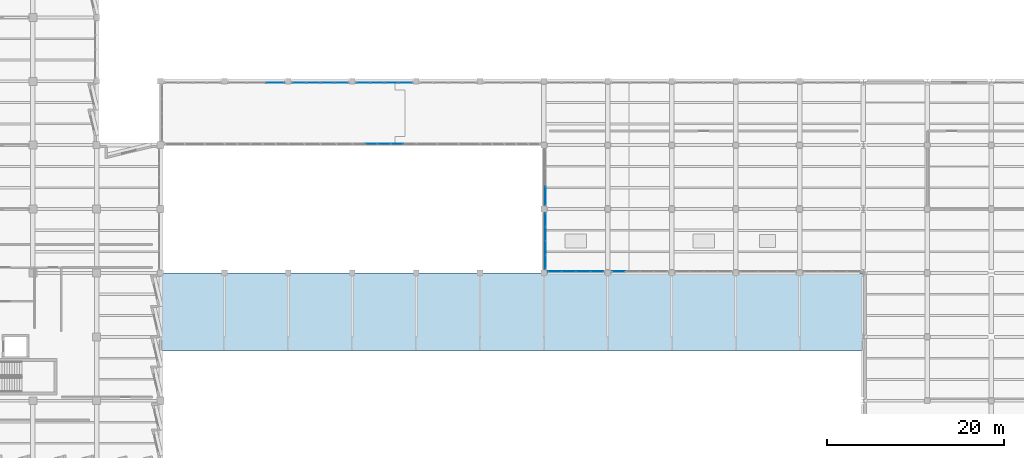
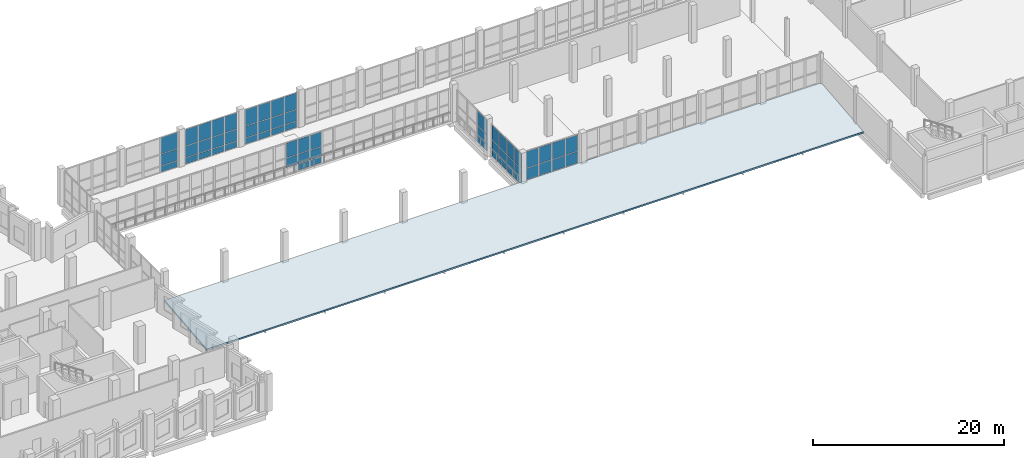
# One storey, part 79 of 127: 63 plates, 1 slab, 8 elements without a shape of their own.
"""IFC4 building model written with IfcOpenShell, lengths in metres."""

import ifcopenshell
import ifcopenshell.guid

model = None  # the IFC model being written
_history = None  # IfcOwnerHistory: only IFC2X3 demands one
_inside = {}  # id of a spatial element -> (the spatial element, [elements in it])
_under = {}  # id of a project, library or spatial element -> (it, [spatial elements below it])
_declared = {}  # id of a project -> (the project, [libraries it declares])
_typed = {}  # id of a type object -> (the type object, [elements of that type])
_made_of = {}  # id of a material, layer set ... -> (it, [elements and type objects made of it])


def new_model(schema):
    """Start an empty IFC model of exactly this schema.

    Asked for "IFC4X3", IfcOpenShell would pick the latest addendum, in which some entities
    have other attributes; the version numbers below select the first issue.
    IFC2X3 requires an IfcOwnerHistory on every rooted entity: one is made here for all.
    """
    global model, _history
    if schema == "IFC4X3":
        model = ifcopenshell.file(schema_version=(4, 3, 0, 0))
    else:
        model = ifcopenshell.file(schema=schema)
    _inside.clear()
    _under.clear()
    _declared.clear()
    _typed.clear()
    _made_of.clear()
    _history = None
    if model.schema == "IFC2X3":
        org = make("IfcOrganization", Name="unknown")
        user = make(
            "IfcPersonAndOrganization",
            ThePerson=make("IfcPerson", FamilyName="unknown"),
            TheOrganization=org,
        )
        app = make(
            "IfcApplication",
            ApplicationDeveloper=org,
            Version="unknown",
            ApplicationFullName="unknown",
            ApplicationIdentifier="unknown",
        )
        _history = make(
            "IfcOwnerHistory",
            OwningUser=user,
            OwningApplication=app,
            ChangeAction="ADDED",
            CreationDate=0,
        )
    return model


def make(cls, **values):
    """One entity of the class cls with the attributes given. An attribute that is None is left unset."""
    return model.create_entity(
        cls, **{name: value for name, value in values.items() if value is not None}
    )


def rooted(cls, **values):
    """An entity with a GlobalId (a new one), such as an element, a storey or a relation."""
    return make(cls, GlobalId=ifcopenshell.guid.new(), OwnerHistory=_history, **values)


def si_unit(unit_type, name, prefix=None):
    """IfcSIUnit, for example si_unit("LENGTHUNIT", "METRE", prefix="MILLI")."""
    return make("IfcSIUnit", UnitType=unit_type, Prefix=prefix, Name=name)


def assignment(units):
    """IfcUnitAssignment: the units of a project."""
    return None if units is None else make("IfcUnitAssignment", Units=units)


def point(xyz):
    """IfcCartesianPoint."""
    return None if xyz is None else make("IfcCartesianPoint", Coordinates=xyz)


def direction(xyz):
    """IfcDirection."""
    return None if xyz is None else make("IfcDirection", DirectionRatios=xyz)


def frame(location, z_axis=None, x_axis=None):
    """IfcAxis2Placement3D, a coordinate frame: its origin and axes. An axis left out is left unset."""
    return make(
        "IfcAxis2Placement3D",
        Location=point(location),
        Axis=direction(z_axis),
        RefDirection=direction(x_axis),
    )


def frame_2d(location, x_axis=None):
    """IfcAxis2Placement2D, a coordinate frame in the plane: its origin and x axis."""
    return make(
        "IfcAxis2Placement2D", Location=point(location), RefDirection=direction(x_axis)
    )


def origin():
    """The frame at (0, 0, 0) with its axes left unset."""
    return frame((0.0, 0.0, 0.0))


def origin_2d():
    """The frame at (0, 0) in the plane with its x axis left unset."""
    return frame_2d((0.0, 0.0))


def place(relative_to, where):
    """IfcLocalPlacement: puts the frame where relative to a parent placement (None: the world)."""
    return make(
        "IfcLocalPlacement", PlacementRelTo=relative_to, RelativePlacement=where
    )


def context(
    kind, dimensions, precision=None, world=None, true_north=None, identifier=None
):
    """IfcGeometricRepresentationContext, for example the 3D "Model" context."""
    return make(
        "IfcGeometricRepresentationContext",
        ContextIdentifier=identifier,
        ContextType=kind,
        CoordinateSpaceDimension=dimensions,
        Precision=precision,
        WorldCoordinateSystem=world,
        TrueNorth=true_north,
    )


def subcontext(parent, identifier, kind, view, scale=None):
    """IfcGeometricRepresentationSubContext, for example "Body" below "Model"."""
    return make(
        "IfcGeometricRepresentationSubContext",
        ContextIdentifier=identifier,
        ContextType=kind,
        ParentContext=parent,
        TargetScale=scale,
        TargetView=view,
    )


def project(units=None, contexts=None):
    """IfcProject with its units and contexts."""
    return rooted(
        "IfcProject",
        Name="project",
        RepresentationContexts=contexts,
        UnitsInContext=assignment(units),
    )


def spatial(cls, under=None, at=None, **own):
    """A site, building, storey or space (cls), placed at a placement, below another one or the project."""
    s = rooted(cls, ObjectPlacement=at, **own)
    if under is not None:
        _under.setdefault(under.id(), (under, []))[1].append(s)
    return s


def polyline(points):
    """IfcPolyline through the points."""
    return make("IfcPolyline", Points=[point(p) for p in points])


def profile(cls, at=None, kind="AREA", **sizes):
    """A parametric profile (cls). Its sizes go by their IFC names, for example OverallWidth=200.0."""
    return make(cls, ProfileType=kind, Position=at, **sizes)


def rectangle(**sizes):
    """IfcRectangleProfileDef."""
    return profile("IfcRectangleProfileDef", **sizes)


def outline(outer, holes=None, kind="AREA"):
    """IfcArbitraryClosedProfileDef: a profile drawn as a closed curve; with holes, ...WithVoids."""
    if holes is None:
        return make("IfcArbitraryClosedProfileDef", ProfileType=kind, OuterCurve=outer)
    return make(
        "IfcArbitraryProfileDefWithVoids",
        ProfileType=kind,
        OuterCurve=outer,
        InnerCurves=holes,
    )


def extrude(swept, where, along, depth):
    """IfcExtrudedAreaSolid: the profile swept, set in the frame where, extruded along a direction by depth."""
    return make(
        "IfcExtrudedAreaSolid",
        SweptArea=swept,
        Position=where,
        ExtrudedDirection=direction(along),
        Depth=depth,
    )


def shape(context_of_items, identifier, shape_type, items):
    """IfcShapeRepresentation: the items that make up one representation, for example the "Body"."""
    return make(
        "IfcShapeRepresentation",
        ContextOfItems=context_of_items,
        RepresentationIdentifier=identifier,
        RepresentationType=shape_type,
        Items=items,
    )


def material(Name=None, Category=None):
    """IfcMaterial."""
    return make("IfcMaterial", Name=Name, Category=Category)


def layer(
    of_material, thickness, ventilated=None, Name=None, Category=None, Priority=None
):
    """IfcMaterialLayer: one layer of a wall or slab, of a material (None: an air gap)."""
    return make(
        "IfcMaterialLayer",
        Material=of_material,
        LayerThickness=thickness,
        IsVentilated=ventilated,
        Name=Name,
        Category=Category,
        Priority=Priority,
    )


def layer_set(layers, Name=None):
    """IfcMaterialLayerSet."""
    return make("IfcMaterialLayerSet", MaterialLayers=layers, LayerSetName=Name)


def made_of(thing, what):
    """Note that an element or type object is made of a material, layer set ...; save() writes the relation."""
    if what is not None:
        _made_of.setdefault(what.id(), (what, []))[1].append(thing)
    return thing


def type_object(cls, material=None, **own):
    """A type object (cls), such as IfcWallType, which elements share."""
    return made_of(rooted(cls, **own), material)


def element(
    cls,
    number,
    at=None,
    inside=None,
    cuts=None,
    type_object=None,
    material=None,
    context=None,
    identifier="Body",
    shape_type=None,
    held_by="IfcProductDefinitionShape",
    body=None,
    shapes=None,
    **own,
):
    """One element of the class cls, such as IfcWall. Its Tag is "e" and its number.

    at: its placement. inside: the storey or other place that contains it. cuts: it is an
    opening in that element (IfcRelVoidsElement). A single representation is given by context,
    identifier, shape_type and body (its items); several are given by shapes. held_by: the class
    of the entity that holds the representations. save() writes the other relations.
    """
    e = rooted(cls, Tag="e%d" % number, ObjectPlacement=at, **own)
    if body is not None:
        shapes = [shape(context, identifier, shape_type, body)]
    if shapes is not None:
        e.Representation = make(held_by, Representations=shapes)
    if inside is not None:
        _inside.setdefault(inside.id(), (inside, []))[1].append(e)
    if cuts is not None:
        rooted(
            "IfcRelVoidsElement", RelatingBuildingElement=cuts, RelatedOpeningElement=e
        )
    if type_object is not None:
        _typed.setdefault(type_object.id(), (type_object, []))[1].append(e)
    return made_of(e, material)


def aggregate(whole, parts):
    """IfcRelAggregates: a whole, such as a stair, and the parts it consists of."""
    return rooted("IfcRelAggregates", RelatingObject=whole, RelatedObjects=parts)


def save(model, path):
    """Write the relations noted so far, then the file.

    IfcRelAggregates (storeys below a building ...), IfcRelContainedInSpatialStructure (elements
    in a storey), IfcRelDefinesByType, IfcRelAssociatesMaterial and IfcRelDeclares: one each for
    every whole, place, type object, material and project.
    """
    for whole, parts in _under.values():
        aggregate(whole, parts)
    for where, things in _inside.values():
        rooted(
            "IfcRelContainedInSpatialStructure",
            RelatedElements=things,
            RelatingStructure=where,
        )
    for kind, things in _typed.values():
        rooted("IfcRelDefinesByType", RelatedObjects=things, RelatingType=kind)
    for what, things in _made_of.values():
        rooted("IfcRelAssociatesMaterial", RelatedObjects=things, RelatingMaterial=what)
    for by, libraries in _declared.values():
        rooted("IfcRelDeclares", RelatingContext=by, RelatedDefinitions=libraries)
    model.write(path)


model = new_model("IFC4")

# Units and contexts
model_context = context("Model", 3, precision=1e-05, world=origin(), true_north=direction((0.0, 1.0)))
body_context = subcontext(model_context, "Body", "Model", "MODEL_VIEW")
ifc_project = project(units=[si_unit("LENGTHUNIT", "METRE"), si_unit("AREAUNIT", "SQUARE_METRE"), si_unit("VOLUMEUNIT", "CUBIC_METRE"), si_unit("PLANEANGLEUNIT", "RADIAN"), si_unit("MASSUNIT", "GRAM", prefix="KILO")], contexts=[model_context])

# Site, building, storey
site_placement = place(None, origin())
site = spatial("IfcSite", under=ifc_project, at=site_placement, CompositionType="ELEMENT")
building_placement = place(site_placement, origin())
building = spatial("IfcBuilding", under=site, at=building_placement, Name="Kalmorath City Hall", CompositionType="ELEMENT")
storey_placement = place(building_placement, frame((0.0, 0.0, 5.39990234375)))
storey = spatial("IfcBuildingStorey", under=building, at=storey_placement, Name="L01", CompositionType="ELEMENT", Elevation=5.39990234375)

# Slab
ifc_material_1 = material(Name="Concrete C40/50", Category="concrete")
ifc_layer_1 = layer(ifc_material_1, 0.219970703125)
ifc_layer_set_1 = layer_set([ifc_layer_1], Name="Concrete C40/50")
slab_type = type_object("IfcSlabType", Name="Concrete sloped hurricane roof slab 220", PredefinedType="ROOF", material=ifc_layer_set_1)
slab_placement = place(storey_placement, frame((36.0, 12.800048828125, 0.0), z_axis=(0.0, -0.101757844754, 0.994809198304), x_axis=(1.0, 0.0, 0.0)))
element("IfcSlab", 1, at=slab_placement, inside=storey, type_object=slab_type, Name="Civic Storm Arcade sloped canopy roof", PredefinedType="ROOF", context=body_context, shape_type="SweptSolid", body=[
    extrude(outline(polyline([(0.0, 0.0), (79.199951171875, 0.0), (79.199951171875, 8.845966485959398), (0.0, 8.845966485959398), (0.0, 0.0)])), origin(), (0.0, 0.0, -1.0), 0.219970703125),
])

# Curtain wall, plate
ifc_material_2 = material(Name="Anodised aluminium and laminated glass", Category="aluminium")
curtain_wall_type_1 = type_object("IfcCurtainWallType", Name="Unitised hurricane curtain wall 6370x4520 M1800", PredefinedType="NOTDEFINED", material=ifc_material_2)
curtain_wall_1_placement = place(storey_placement, origin())
curtain_wall_1 = element("IfcCurtainWall", 2, at=curtain_wall_1_placement, inside=storey, type_object=curtain_wall_type_1, Name="L01 curtain wall CW-64X45M18 #70", PredefinedType="NOTDEFINED")
ifc_material_3 = material(Name="Hurricane laminated low-E glass", Category="glass")
ifc_layer_2 = layer(ifc_material_3, 0.031982421875)
ifc_layer_set_2 = layer_set([ifc_layer_2], Name="Hurricane laminated low-E glass")
plate_type = type_object("IfcPlateType", Name="Hurricane impact double-glazed panel 32", PredefinedType="CURTAIN_PANEL", material=ifc_layer_set_2)
plate_1_placement = place(storey_placement, frame((87.6298828125, 21.760009765625, 0.065185546875), z_axis=(0.0, 0.0, 1.0), x_axis=(-1.0, 0.0, 0.0)))
plate_1 = element("IfcPlate", 3, at=plate_1_placement, type_object=plate_type, Name="CW-64X45M18 panel 4.1", PredefinedType="CURTAIN_PANEL", context=body_context, shape_type="SweptSolid", body=[
    extrude(rectangle(XDim=1.47998046875, YDim=0.031982421875, at=origin_2d()), origin(), (0.0, 0.0, 1.0), 0.75244140625),
])
aggregate(curtain_wall_1, [plate_1])

# Curtain wall, plates
ifc_material_4 = material(Name="Anodised aluminium and laminated glass", Category="aluminium")
curtain_wall_type_2 = type_object("IfcCurtainWallType", Name="Unitised hurricane curtain wall 6370x4520 M1500", PredefinedType="NOTDEFINED", material=ifc_material_4)
curtain_wall_2_placement = place(storey_placement, origin())
curtain_wall_2 = element("IfcCurtainWall", 4, at=curtain_wall_2_placement, inside=storey, type_object=curtain_wall_type_2, Name="L01 curtain wall CW-64X45M15 #71", PredefinedType="NOTDEFINED")
plate_2_placement = place(storey_placement, frame((85.169921875, 21.760009765625, 0.065185546875), z_axis=(0.0, 0.0, 1.0), x_axis=(-1.0, 0.0, 0.0)))
plate_2 = element("IfcPlate", 5, at=plate_2_placement, type_object=plate_type, Name="CW-64X45M15 panel 1.1", PredefinedType="CURTAIN_PANEL", context=body_context, shape_type="SweptSolid", body=[
    extrude(rectangle(XDim=1.47998046875, YDim=0.031982421875, at=origin_2d()), origin(), (0.0, 0.0, 1.0), 0.75244140625),
])
plate_3_placement = place(storey_placement, frame((85.169921875, 21.760009765625, 0.882568359375), z_axis=(0.0, 0.0, 1.0), x_axis=(-1.0, 0.0, 0.0)))
plate_3 = element("IfcPlate", 6, at=plate_3_placement, type_object=plate_type, Name="CW-64X45M15 panel 1.2", PredefinedType="CURTAIN_PANEL", context=body_context, shape_type="SweptSolid", body=[
    extrude(rectangle(XDim=1.47998046875, YDim=0.031982421875, at=origin_2d()), origin(), (0.0, 0.0, 1.0), 1.43505859375),
])
plate_4_placement = place(storey_placement, frame((85.169921875, 21.760009765625, 2.3828125), z_axis=(0.0, 0.0, 1.0), x_axis=(-1.0, 0.0, 0.0)))
plate_4 = element("IfcPlate", 7, at=plate_4_placement, type_object=plate_type, Name="CW-64X45M15 panel 1.3", PredefinedType="CURTAIN_PANEL", context=body_context, shape_type="SweptSolid", body=[
    extrude(rectangle(XDim=1.47998046875, YDim=0.031982421875, at=origin_2d()), origin(), (0.0, 0.0, 1.0), 2.072509765625),
])
plate_5_placement = place(storey_placement, frame((83.59619140625, 21.760009765625, 0.065185546875), z_axis=(0.0, 0.0, 1.0), x_axis=(-1.0, 0.0, 0.0)))
plate_5 = element("IfcPlate", 8, at=plate_5_placement, type_object=plate_type, Name="CW-64X45M15 panel 2.1", PredefinedType="CURTAIN_PANEL", context=body_context, shape_type="SweptSolid", body=[
    extrude(rectangle(XDim=1.517578125, YDim=0.031982421875, at=origin_2d()), origin(), (0.0, 0.0, 1.0), 0.75244140625),
])
plate_6_placement = place(storey_placement, frame((83.59619140625, 21.760009765625, 0.882568359375), z_axis=(0.0, 0.0, 1.0), x_axis=(-1.0, 0.0, 0.0)))
plate_6 = element("IfcPlate", 9, at=plate_6_placement, type_object=plate_type, Name="CW-64X45M15 panel 2.2", PredefinedType="CURTAIN_PANEL", context=body_context, shape_type="SweptSolid", body=[
    extrude(rectangle(XDim=1.517578125, YDim=0.031982421875, at=origin_2d()), origin(), (0.0, 0.0, 1.0), 1.43505859375),
])
plate_7_placement = place(storey_placement, frame((83.59619140625, 21.760009765625, 2.3828125), z_axis=(0.0, 0.0, 1.0), x_axis=(-1.0, 0.0, 0.0)))
plate_7 = element("IfcPlate", 10, at=plate_7_placement, type_object=plate_type, Name="CW-64X45M15 panel 2.3", PredefinedType="CURTAIN_PANEL", context=body_context, shape_type="SweptSolid", body=[
    extrude(rectangle(XDim=1.517578125, YDim=0.031982421875, at=origin_2d()), origin(), (0.0, 0.0, 1.0), 2.072509765625),
])
plate_8_placement = place(storey_placement, frame((82.003662109375, 21.760009765625, 0.065185546875), z_axis=(0.0, 0.0, 1.0), x_axis=(-1.0, 0.0, 0.0)))
plate_8 = element("IfcPlate", 11, at=plate_8_placement, type_object=plate_type, Name="CW-64X45M15 panel 3.1", PredefinedType="CURTAIN_PANEL", context=body_context, shape_type="SweptSolid", body=[
    extrude(rectangle(XDim=1.517578125, YDim=0.031982421875, at=origin_2d()), origin(), (0.0, 0.0, 1.0), 0.75244140625),
])
plate_9_placement = place(storey_placement, frame((82.003662109375, 21.760009765625, 0.882568359375), z_axis=(0.0, 0.0, 1.0), x_axis=(-1.0, 0.0, 0.0)))
plate_9 = element("IfcPlate", 12, at=plate_9_placement, type_object=plate_type, Name="CW-64X45M15 panel 3.2", PredefinedType="CURTAIN_PANEL", context=body_context, shape_type="SweptSolid", body=[
    extrude(rectangle(XDim=1.517578125, YDim=0.031982421875, at=origin_2d()), origin(), (0.0, 0.0, 1.0), 1.43505859375),
])
plate_10_placement = place(storey_placement, frame((82.003662109375, 21.760009765625, 2.3828125), z_axis=(0.0, 0.0, 1.0), x_axis=(-1.0, 0.0, 0.0)))
plate_10 = element("IfcPlate", 13, at=plate_10_placement, type_object=plate_type, Name="CW-64X45M15 panel 3.3", PredefinedType="CURTAIN_PANEL", context=body_context, shape_type="SweptSolid", body=[
    extrude(rectangle(XDim=1.517578125, YDim=0.031982421875, at=origin_2d()), origin(), (0.0, 0.0, 1.0), 2.072509765625),
])
plate_11_placement = place(storey_placement, frame((80.429931640625, 21.760009765625, 0.065185546875), z_axis=(0.0, 0.0, 1.0), x_axis=(-1.0, 0.0, 0.0)))
plate_11 = element("IfcPlate", 14, at=plate_11_placement, type_object=plate_type, Name="CW-64X45M15 panel 4.1", PredefinedType="CURTAIN_PANEL", context=body_context, shape_type="SweptSolid", body=[
    extrude(rectangle(XDim=1.47998046875, YDim=0.031982421875, at=origin_2d()), origin(), (0.0, 0.0, 1.0), 0.75244140625),
])
plate_12_placement = place(storey_placement, frame((80.429931640625, 21.760009765625, 0.882568359375), z_axis=(0.0, 0.0, 1.0), x_axis=(-1.0, 0.0, 0.0)))
plate_12 = element("IfcPlate", 15, at=plate_12_placement, type_object=plate_type, Name="CW-64X45M15 panel 4.2", PredefinedType="CURTAIN_PANEL", context=body_context, shape_type="SweptSolid", body=[
    extrude(rectangle(XDim=1.47998046875, YDim=0.031982421875, at=origin_2d()), origin(), (0.0, 0.0, 1.0), 1.43505859375),
])
plate_13_placement = place(storey_placement, frame((80.429931640625, 21.760009765625, 2.3828125), z_axis=(0.0, 0.0, 1.0), x_axis=(-1.0, 0.0, 0.0)))
plate_13 = element("IfcPlate", 16, at=plate_13_placement, type_object=plate_type, Name="CW-64X45M15 panel 4.3", PredefinedType="CURTAIN_PANEL", context=body_context, shape_type="SweptSolid", body=[
    extrude(rectangle(XDim=1.47998046875, YDim=0.031982421875, at=origin_2d()), origin(), (0.0, 0.0, 1.0), 2.072509765625),
])
aggregate(curtain_wall_2, [plate_2, plate_3, plate_4, plate_5, plate_6, plate_7, plate_8, plate_9, plate_10, plate_11, plate_12, plate_13])

ifc_material_5 = material(Name="Anodised aluminium and laminated glass", Category="aluminium")
curtain_wall_type_3 = type_object("IfcCurtainWallType", Name="Unitised hurricane curtain wall 6370x4090 M1500", PredefinedType="NOTDEFINED", material=ifc_material_5)
curtain_wall_3_placement = place(storey_placement, origin())
curtain_wall_3 = element("IfcCurtainWall", 17, at=curtain_wall_3_placement, inside=storey, type_object=curtain_wall_type_3, Name="L01 curtain wall CW-64X41M15 #72", PredefinedType="NOTDEFINED")
plate_14_placement = place(storey_placement, frame((79.360107421875, 22.830078125, 0.065185546875), z_axis=(0.0, 0.0, 1.0), x_axis=(0.0, 1.0, 0.0)))
plate_14 = element("IfcPlate", 18, at=plate_14_placement, type_object=plate_type, Name="CW-64X41M15 panel 1.1", PredefinedType="CURTAIN_PANEL", context=body_context, shape_type="SweptSolid", body=[
    extrude(rectangle(XDim=1.47998046875, YDim=0.031982421875, at=origin_2d()), origin(), (0.0, 0.0, 1.0), 0.75244140625),
])
plate_15_placement = place(storey_placement, frame((79.360107421875, 22.830078125, 0.882568359375), z_axis=(0.0, 0.0, 1.0), x_axis=(0.0, 1.0, 0.0)))
plate_15 = element("IfcPlate", 19, at=plate_15_placement, type_object=plate_type, Name="CW-64X41M15 panel 1.2", PredefinedType="CURTAIN_PANEL", context=body_context, shape_type="SweptSolid", body=[
    extrude(rectangle(XDim=1.47998046875, YDim=0.031982421875, at=origin_2d()), origin(), (0.0, 0.0, 1.0), 1.2119140625),
])
plate_16_placement = place(storey_placement, frame((79.360107421875, 22.830078125, 2.15966796875), z_axis=(0.0, 0.0, 1.0), x_axis=(0.0, 1.0, 0.0)))
plate_16 = element("IfcPlate", 20, at=plate_16_placement, type_object=plate_type, Name="CW-64X41M15 panel 1.3", PredefinedType="CURTAIN_PANEL", context=body_context, shape_type="SweptSolid", body=[
    extrude(rectangle(XDim=1.47998046875, YDim=0.031982421875, at=origin_2d()), origin(), (0.0, 0.0, 1.0), 1.865478515625),
])
plate_17_placement = place(storey_placement, frame((79.360107421875, 24.40380859375, 0.065185546875), z_axis=(0.0, 0.0, 1.0), x_axis=(0.0, 1.0, 0.0)))
plate_17 = element("IfcPlate", 21, at=plate_17_placement, type_object=plate_type, Name="CW-64X41M15 panel 2.1", PredefinedType="CURTAIN_PANEL", context=body_context, shape_type="SweptSolid", body=[
    extrude(rectangle(XDim=1.517578125, YDim=0.031982421875, at=origin_2d()), origin(), (0.0, 0.0, 1.0), 0.75244140625),
])
plate_18_placement = place(storey_placement, frame((79.360107421875, 24.40380859375, 0.882568359375), z_axis=(0.0, 0.0, 1.0), x_axis=(0.0, 1.0, 0.0)))
plate_18 = element("IfcPlate", 22, at=plate_18_placement, type_object=plate_type, Name="CW-64X41M15 panel 2.2", PredefinedType="CURTAIN_PANEL", context=body_context, shape_type="SweptSolid", body=[
    extrude(rectangle(XDim=1.517578125, YDim=0.031982421875, at=origin_2d()), origin(), (0.0, 0.0, 1.0), 1.2119140625),
])
plate_19_placement = place(storey_placement, frame((79.360107421875, 24.40380859375, 2.15966796875), z_axis=(0.0, 0.0, 1.0), x_axis=(0.0, 1.0, 0.0)))
plate_19 = element("IfcPlate", 23, at=plate_19_placement, type_object=plate_type, Name="CW-64X41M15 panel 2.3", PredefinedType="CURTAIN_PANEL", context=body_context, shape_type="SweptSolid", body=[
    extrude(rectangle(XDim=1.517578125, YDim=0.031982421875, at=origin_2d()), origin(), (0.0, 0.0, 1.0), 1.865478515625),
])
plate_20_placement = place(storey_placement, frame((79.360107421875, 25.996337890625, 0.065185546875), z_axis=(0.0, 0.0, 1.0), x_axis=(0.0, 1.0, 0.0)))
plate_20 = element("IfcPlate", 24, at=plate_20_placement, type_object=plate_type, Name="CW-64X41M15 panel 3.1", PredefinedType="CURTAIN_PANEL", context=body_context, shape_type="SweptSolid", body=[
    extrude(rectangle(XDim=1.517578125, YDim=0.031982421875, at=origin_2d()), origin(), (0.0, 0.0, 1.0), 0.75244140625),
])
plate_21_placement = place(storey_placement, frame((79.360107421875, 25.996337890625, 0.882568359375), z_axis=(0.0, 0.0, 1.0), x_axis=(0.0, 1.0, 0.0)))
plate_21 = element("IfcPlate", 25, at=plate_21_placement, type_object=plate_type, Name="CW-64X41M15 panel 3.2", PredefinedType="CURTAIN_PANEL", context=body_context, shape_type="SweptSolid", body=[
    extrude(rectangle(XDim=1.517578125, YDim=0.031982421875, at=origin_2d()), origin(), (0.0, 0.0, 1.0), 1.2119140625),
])
plate_22_placement = place(storey_placement, frame((79.360107421875, 25.996337890625, 2.15966796875), z_axis=(0.0, 0.0, 1.0), x_axis=(0.0, 1.0, 0.0)))
plate_22 = element("IfcPlate", 26, at=plate_22_placement, type_object=plate_type, Name="CW-64X41M15 panel 3.3", PredefinedType="CURTAIN_PANEL", context=body_context, shape_type="SweptSolid", body=[
    extrude(rectangle(XDim=1.517578125, YDim=0.031982421875, at=origin_2d()), origin(), (0.0, 0.0, 1.0), 1.865478515625),
])
plate_23_placement = place(storey_placement, frame((79.360107421875, 27.570068359375, 0.065185546875), z_axis=(0.0, 0.0, 1.0), x_axis=(0.0, 1.0, 0.0)))
plate_23 = element("IfcPlate", 27, at=plate_23_placement, type_object=plate_type, Name="CW-64X41M15 panel 4.1", PredefinedType="CURTAIN_PANEL", context=body_context, shape_type="SweptSolid", body=[
    extrude(rectangle(XDim=1.47998046875, YDim=0.031982421875, at=origin_2d()), origin(), (0.0, 0.0, 1.0), 0.75244140625),
])
plate_24_placement = place(storey_placement, frame((79.360107421875, 27.570068359375, 0.882568359375), z_axis=(0.0, 0.0, 1.0), x_axis=(0.0, 1.0, 0.0)))
plate_24 = element("IfcPlate", 28, at=plate_24_placement, type_object=plate_type, Name="CW-64X41M15 panel 4.2", PredefinedType="CURTAIN_PANEL", context=body_context, shape_type="SweptSolid", body=[
    extrude(rectangle(XDim=1.47998046875, YDim=0.031982421875, at=origin_2d()), origin(), (0.0, 0.0, 1.0), 1.2119140625),
])
plate_25_placement = place(storey_placement, frame((79.360107421875, 27.570068359375, 2.15966796875), z_axis=(0.0, 0.0, 1.0), x_axis=(0.0, 1.0, 0.0)))
plate_25 = element("IfcPlate", 29, at=plate_25_placement, type_object=plate_type, Name="CW-64X41M15 panel 4.3", PredefinedType="CURTAIN_PANEL", context=body_context, shape_type="SweptSolid", body=[
    extrude(rectangle(XDim=1.47998046875, YDim=0.031982421875, at=origin_2d()), origin(), (0.0, 0.0, 1.0), 1.865478515625),
])
aggregate(curtain_wall_3, [plate_14, plate_15, plate_16, plate_17, plate_18, plate_19, plate_20, plate_21, plate_22, plate_23, plate_24, plate_25])

ifc_material_6 = material(Name="Anodised aluminium and laminated glass", Category="aluminium")
curtain_wall_type_4 = type_object("IfcCurtainWallType", Name="Unitised hurricane curtain wall 6370x4090 M2100", PredefinedType="NOTDEFINED", material=ifc_material_6)
curtain_wall_4_placement = place(storey_placement, origin())
curtain_wall_4 = element("IfcCurtainWall", 30, at=curtain_wall_4_placement, inside=storey, type_object=curtain_wall_type_4, Name="L01 curtain wall CW-64X41M21 #73", PredefinedType="NOTDEFINED")
plate_26_placement = place(storey_placement, frame((79.360107421875, 30.29541015625, 0.065185546875), z_axis=(0.0, 0.0, 1.0), x_axis=(0.0, 1.0, 0.0)))
plate_26 = element("IfcPlate", 31, at=plate_26_placement, type_object=plate_type, Name="CW-64X41M21 panel 1.1", PredefinedType="CURTAIN_PANEL", context=body_context, shape_type="SweptSolid", body=[
    extrude(rectangle(XDim=2.0107421875, YDim=0.031982421875, at=origin_2d()), origin(), (0.0, 0.0, 1.0), 0.75244140625),
])
plate_27_placement = place(storey_placement, frame((79.360107421875, 30.29541015625, 0.882568359375), z_axis=(0.0, 0.0, 1.0), x_axis=(0.0, 1.0, 0.0)))
plate_27 = element("IfcPlate", 32, at=plate_27_placement, type_object=plate_type, Name="CW-64X41M21 panel 1.2", PredefinedType="CURTAIN_PANEL", context=body_context, shape_type="SweptSolid", body=[
    extrude(rectangle(XDim=2.0107421875, YDim=0.031982421875, at=origin_2d()), origin(), (0.0, 0.0, 1.0), 1.2119140625),
])
plate_28_placement = place(storey_placement, frame((79.360107421875, 30.29541015625, 2.15966796875), z_axis=(0.0, 0.0, 1.0), x_axis=(0.0, 1.0, 0.0)))
plate_28 = element("IfcPlate", 33, at=plate_28_placement, type_object=plate_type, Name="CW-64X41M21 panel 1.3", PredefinedType="CURTAIN_PANEL", context=body_context, shape_type="SweptSolid", body=[
    extrude(rectangle(XDim=2.0107421875, YDim=0.031982421875, at=origin_2d()), origin(), (0.0, 0.0, 1.0), 1.865478515625),
])
aggregate(curtain_wall_4, [plate_26, plate_27, plate_28])

ifc_material_7 = material(Name="Anodised aluminium and laminated glass", Category="aluminium")
curtain_wall_type_5 = type_object("IfcCurtainWallType", Name="Unitised hurricane curtain wall 7200x4090 M1500", PredefinedType="NOTDEFINED", material=ifc_material_7)
curtain_wall_5_placement = place(storey_placement, origin())
curtain_wall_5 = element("IfcCurtainWall", 34, at=curtain_wall_5_placement, inside=storey, type_object=curtain_wall_type_5, Name="L01 curtain wall CW-72X41M15 #76", PredefinedType="NOTDEFINED")
plate_29_placement = place(storey_placement, frame((62.639892578125, 36.159912109375, 0.065185546875), z_axis=(0.0, 0.0, 1.0), x_axis=(-1.0, 0.0, 0.0)))
plate_29 = element("IfcPlate", 35, at=plate_29_placement, type_object=plate_type, Name="CW-72X41M15 panel 2.1", PredefinedType="CURTAIN_PANEL", context=body_context, shape_type="SweptSolid", body=[
    extrude(rectangle(XDim=1.364990234375, YDim=0.031982421875, at=origin_2d()), origin(), (0.0, 0.0, 1.0), 0.75244140625),
])
plate_30_placement = place(storey_placement, frame((62.639892578125, 36.159912109375, 0.882568359375), z_axis=(0.0, 0.0, 1.0), x_axis=(-1.0, 0.0, 0.0)))
plate_30 = element("IfcPlate", 36, at=plate_30_placement, type_object=plate_type, Name="CW-72X41M15 panel 2.2", PredefinedType="CURTAIN_PANEL", context=body_context, shape_type="SweptSolid", body=[
    extrude(rectangle(XDim=1.364990234375, YDim=0.031982421875, at=origin_2d()), origin(), (0.0, 0.0, 1.0), 1.2119140625),
])
plate_31_placement = place(storey_placement, frame((62.639892578125, 36.159912109375, 2.15966796875), z_axis=(0.0, 0.0, 1.0), x_axis=(-1.0, 0.0, 0.0)))
plate_31 = element("IfcPlate", 37, at=plate_31_placement, type_object=plate_type, Name="CW-72X41M15 panel 2.3", PredefinedType="CURTAIN_PANEL", context=body_context, shape_type="SweptSolid", body=[
    extrude(rectangle(XDim=1.364990234375, YDim=0.031982421875, at=origin_2d()), origin(), (0.0, 0.0, 1.0), 1.865478515625),
])
plate_32_placement = place(storey_placement, frame((61.199951171875, 36.159912109375, 0.065185546875), z_axis=(0.0, 0.0, 1.0), x_axis=(-1.0, 0.0, 0.0)))
plate_32 = element("IfcPlate", 38, at=plate_32_placement, type_object=plate_type, Name="CW-72X41M15 panel 3.1", PredefinedType="CURTAIN_PANEL", context=body_context, shape_type="SweptSolid", body=[
    extrude(rectangle(XDim=1.364990234375, YDim=0.031982421875, at=origin_2d()), origin(), (0.0, 0.0, 1.0), 0.75244140625),
])
plate_33_placement = place(storey_placement, frame((61.199951171875, 36.159912109375, 0.882568359375), z_axis=(0.0, 0.0, 1.0), x_axis=(-1.0, 0.0, 0.0)))
plate_33 = element("IfcPlate", 39, at=plate_33_placement, type_object=plate_type, Name="CW-72X41M15 panel 3.2", PredefinedType="CURTAIN_PANEL", context=body_context, shape_type="SweptSolid", body=[
    extrude(rectangle(XDim=1.364990234375, YDim=0.031982421875, at=origin_2d()), origin(), (0.0, 0.0, 1.0), 1.2119140625),
])
plate_34_placement = place(storey_placement, frame((61.199951171875, 36.159912109375, 2.15966796875), z_axis=(0.0, 0.0, 1.0), x_axis=(-1.0, 0.0, 0.0)))
plate_34 = element("IfcPlate", 40, at=plate_34_placement, type_object=plate_type, Name="CW-72X41M15 panel 3.3", PredefinedType="CURTAIN_PANEL", context=body_context, shape_type="SweptSolid", body=[
    extrude(rectangle(XDim=1.364990234375, YDim=0.031982421875, at=origin_2d()), origin(), (0.0, 0.0, 1.0), 1.865478515625),
])
plate_35_placement = place(storey_placement, frame((59.760009765625, 36.159912109375, 0.882568359375), z_axis=(0.0, 0.0, 1.0), x_axis=(-1.0, 0.0, 0.0)))
plate_35 = element("IfcPlate", 41, at=plate_35_placement, type_object=plate_type, Name="CW-72X41M15 panel 4.2", PredefinedType="CURTAIN_PANEL", context=body_context, shape_type="SweptSolid", body=[
    extrude(rectangle(XDim=1.364990234375, YDim=0.031982421875, at=origin_2d()), origin(), (0.0, 0.0, 1.0), 1.2119140625),
])
plate_36_placement = place(storey_placement, frame((59.760009765625, 36.159912109375, 2.15966796875), z_axis=(0.0, 0.0, 1.0), x_axis=(-1.0, 0.0, 0.0)))
plate_36 = element("IfcPlate", 42, at=plate_36_placement, type_object=plate_type, Name="CW-72X41M15 panel 4.3", PredefinedType="CURTAIN_PANEL", context=body_context, shape_type="SweptSolid", body=[
    extrude(rectangle(XDim=1.364990234375, YDim=0.031982421875, at=origin_2d()), origin(), (0.0, 0.0, 1.0), 1.865478515625),
])
aggregate(curtain_wall_5, [plate_29, plate_30, plate_31, plate_32, plate_33, plate_34, plate_35, plate_36])

ifc_material_8 = material(Name="Anodised aluminium and laminated glass", Category="aluminium")
curtain_wall_type_6 = type_object("IfcCurtainWallType", Name="Unitised hurricane curtain wall 6370x4520 M2100", PredefinedType="NOTDEFINED", material=ifc_material_8)
curtain_wall_6_placement = place(storey_placement, origin())
curtain_wall_6 = element("IfcCurtainWall", 43, at=curtain_wall_6_placement, inside=storey, type_object=curtain_wall_type_6, Name="L01 curtain wall CW-64X45M21 #83", PredefinedType="NOTDEFINED")
plate_37_placement = place(storey_placement, frame((48.904541015625, 43.0400390625, 0.065185546875), z_axis=(0.0, 0.0, 1.0), x_axis=(1.0, 0.0, 0.0)))
plate_37 = element("IfcPlate", 44, at=plate_37_placement, type_object=plate_type, Name="CW-64X45M21 panel 3.1", PredefinedType="CURTAIN_PANEL", context=body_context, shape_type="SweptSolid", body=[
    extrude(rectangle(XDim=2.0107421875, YDim=0.031982421875, at=origin_2d()), origin(), (0.0, 0.0, 1.0), 0.75244140625),
])
plate_38_placement = place(storey_placement, frame((48.904541015625, 43.0400390625, 0.882568359375), z_axis=(0.0, 0.0, 1.0), x_axis=(1.0, 0.0, 0.0)))
plate_38 = element("IfcPlate", 45, at=plate_38_placement, type_object=plate_type, Name="CW-64X45M21 panel 3.2", PredefinedType="CURTAIN_PANEL", context=body_context, shape_type="SweptSolid", body=[
    extrude(rectangle(XDim=2.0107421875, YDim=0.031982421875, at=origin_2d()), origin(), (0.0, 0.0, 1.0), 1.43505859375),
])
plate_39_placement = place(storey_placement, frame((48.904541015625, 43.0400390625, 2.3828125), z_axis=(0.0, 0.0, 1.0), x_axis=(1.0, 0.0, 0.0)))
plate_39 = element("IfcPlate", 46, at=plate_39_placement, type_object=plate_type, Name="CW-64X45M21 panel 3.3", PredefinedType="CURTAIN_PANEL", context=body_context, shape_type="SweptSolid", body=[
    extrude(rectangle(XDim=2.0107421875, YDim=0.031982421875, at=origin_2d()), origin(), (0.0, 0.0, 1.0), 2.072509765625),
])
aggregate(curtain_wall_6, [plate_37, plate_38, plate_39])

curtain_wall_7_placement = place(storey_placement, origin())
curtain_wall_7 = element("IfcCurtainWall", 47, at=curtain_wall_7_placement, inside=storey, type_object=curtain_wall_type_2, Name="L01 curtain wall CW-64X45M15 #84", PredefinedType="NOTDEFINED")
plate_40_placement = place(storey_placement, frame((51.6298828125, 43.0400390625, 0.065185546875), z_axis=(0.0, 0.0, 1.0), x_axis=(1.0, 0.0, 0.0)))
plate_40 = element("IfcPlate", 48, at=plate_40_placement, type_object=plate_type, Name="CW-64X45M15 panel 1.1", PredefinedType="CURTAIN_PANEL", context=body_context, shape_type="SweptSolid", body=[
    extrude(rectangle(XDim=1.47998046875, YDim=0.031982421875, at=origin_2d()), origin(), (0.0, 0.0, 1.0), 0.75244140625),
])
plate_41_placement = place(storey_placement, frame((51.6298828125, 43.0400390625, 0.882568359375), z_axis=(0.0, 0.0, 1.0), x_axis=(1.0, 0.0, 0.0)))
plate_41 = element("IfcPlate", 49, at=plate_41_placement, type_object=plate_type, Name="CW-64X45M15 panel 1.2", PredefinedType="CURTAIN_PANEL", context=body_context, shape_type="SweptSolid", body=[
    extrude(rectangle(XDim=1.47998046875, YDim=0.031982421875, at=origin_2d()), origin(), (0.0, 0.0, 1.0), 1.43505859375),
])
plate_42_placement = place(storey_placement, frame((51.6298828125, 43.0400390625, 2.3828125), z_axis=(0.0, 0.0, 1.0), x_axis=(1.0, 0.0, 0.0)))
plate_42 = element("IfcPlate", 50, at=plate_42_placement, type_object=plate_type, Name="CW-64X45M15 panel 1.3", PredefinedType="CURTAIN_PANEL", context=body_context, shape_type="SweptSolid", body=[
    extrude(rectangle(XDim=1.47998046875, YDim=0.031982421875, at=origin_2d()), origin(), (0.0, 0.0, 1.0), 2.072509765625),
])
plate_43_placement = place(storey_placement, frame((53.203857421875, 43.0400390625, 0.065185546875), z_axis=(0.0, 0.0, 1.0), x_axis=(1.0, 0.0, 0.0)))
plate_43 = element("IfcPlate", 51, at=plate_43_placement, type_object=plate_type, Name="CW-64X45M15 panel 2.1", PredefinedType="CURTAIN_PANEL", context=body_context, shape_type="SweptSolid", body=[
    extrude(rectangle(XDim=1.517578125, YDim=0.031982421875, at=origin_2d()), origin(), (0.0, 0.0, 1.0), 0.75244140625),
])
plate_44_placement = place(storey_placement, frame((53.203857421875, 43.0400390625, 0.882568359375), z_axis=(0.0, 0.0, 1.0), x_axis=(1.0, 0.0, 0.0)))
plate_44 = element("IfcPlate", 52, at=plate_44_placement, type_object=plate_type, Name="CW-64X45M15 panel 2.2", PredefinedType="CURTAIN_PANEL", context=body_context, shape_type="SweptSolid", body=[
    extrude(rectangle(XDim=1.517578125, YDim=0.031982421875, at=origin_2d()), origin(), (0.0, 0.0, 1.0), 1.43505859375),
])
plate_45_placement = place(storey_placement, frame((53.203857421875, 43.0400390625, 2.3828125), z_axis=(0.0, 0.0, 1.0), x_axis=(1.0, 0.0, 0.0)))
plate_45 = element("IfcPlate", 53, at=plate_45_placement, type_object=plate_type, Name="CW-64X45M15 panel 2.3", PredefinedType="CURTAIN_PANEL", context=body_context, shape_type="SweptSolid", body=[
    extrude(rectangle(XDim=1.517578125, YDim=0.031982421875, at=origin_2d()), origin(), (0.0, 0.0, 1.0), 2.072509765625),
])
plate_46_placement = place(storey_placement, frame((54.796142578125, 43.0400390625, 0.065185546875), z_axis=(0.0, 0.0, 1.0), x_axis=(1.0, 0.0, 0.0)))
plate_46 = element("IfcPlate", 54, at=plate_46_placement, type_object=plate_type, Name="CW-64X45M15 panel 3.1", PredefinedType="CURTAIN_PANEL", context=body_context, shape_type="SweptSolid", body=[
    extrude(rectangle(XDim=1.517578125, YDim=0.031982421875, at=origin_2d()), origin(), (0.0, 0.0, 1.0), 0.75244140625),
])
plate_47_placement = place(storey_placement, frame((54.796142578125, 43.0400390625, 0.882568359375), z_axis=(0.0, 0.0, 1.0), x_axis=(1.0, 0.0, 0.0)))
plate_47 = element("IfcPlate", 55, at=plate_47_placement, type_object=plate_type, Name="CW-64X45M15 panel 3.2", PredefinedType="CURTAIN_PANEL", context=body_context, shape_type="SweptSolid", body=[
    extrude(rectangle(XDim=1.517578125, YDim=0.031982421875, at=origin_2d()), origin(), (0.0, 0.0, 1.0), 1.43505859375),
])
plate_48_placement = place(storey_placement, frame((54.796142578125, 43.0400390625, 2.3828125), z_axis=(0.0, 0.0, 1.0), x_axis=(1.0, 0.0, 0.0)))
plate_48 = element("IfcPlate", 56, at=plate_48_placement, type_object=plate_type, Name="CW-64X45M15 panel 3.3", PredefinedType="CURTAIN_PANEL", context=body_context, shape_type="SweptSolid", body=[
    extrude(rectangle(XDim=1.517578125, YDim=0.031982421875, at=origin_2d()), origin(), (0.0, 0.0, 1.0), 2.072509765625),
])
plate_49_placement = place(storey_placement, frame((56.3701171875, 43.0400390625, 0.065185546875), z_axis=(0.0, 0.0, 1.0), x_axis=(1.0, 0.0, 0.0)))
plate_49 = element("IfcPlate", 57, at=plate_49_placement, type_object=plate_type, Name="CW-64X45M15 panel 4.1", PredefinedType="CURTAIN_PANEL", context=body_context, shape_type="SweptSolid", body=[
    extrude(rectangle(XDim=1.47998046875, YDim=0.031982421875, at=origin_2d()), origin(), (0.0, 0.0, 1.0), 0.75244140625),
])
plate_50_placement = place(storey_placement, frame((56.3701171875, 43.0400390625, 0.882568359375), z_axis=(0.0, 0.0, 1.0), x_axis=(1.0, 0.0, 0.0)))
plate_50 = element("IfcPlate", 58, at=plate_50_placement, type_object=plate_type, Name="CW-64X45M15 panel 4.2", PredefinedType="CURTAIN_PANEL", context=body_context, shape_type="SweptSolid", body=[
    extrude(rectangle(XDim=1.47998046875, YDim=0.031982421875, at=origin_2d()), origin(), (0.0, 0.0, 1.0), 1.43505859375),
])
plate_51_placement = place(storey_placement, frame((56.3701171875, 43.0400390625, 2.3828125), z_axis=(0.0, 0.0, 1.0), x_axis=(1.0, 0.0, 0.0)))
plate_51 = element("IfcPlate", 59, at=plate_51_placement, type_object=plate_type, Name="CW-64X45M15 panel 4.3", PredefinedType="CURTAIN_PANEL", context=body_context, shape_type="SweptSolid", body=[
    extrude(rectangle(XDim=1.47998046875, YDim=0.031982421875, at=origin_2d()), origin(), (0.0, 0.0, 1.0), 2.072509765625),
])
aggregate(curtain_wall_7, [plate_40, plate_41, plate_42, plate_43, plate_44, plate_45, plate_46, plate_47, plate_48, plate_49, plate_50, plate_51])

curtain_wall_8_placement = place(storey_placement, origin())
curtain_wall_8 = element("IfcCurtainWall", 60, at=curtain_wall_8_placement, inside=storey, type_object=curtain_wall_type_1, Name="L01 curtain wall CW-64X45M18 #85", PredefinedType="NOTDEFINED")
plate_52_placement = place(storey_placement, frame((58.830078125, 43.0400390625, 0.065185546875), z_axis=(0.0, 0.0, 1.0), x_axis=(1.0, 0.0, 0.0)))
plate_52 = element("IfcPlate", 61, at=plate_52_placement, type_object=plate_type, Name="CW-64X45M18 panel 1.1", PredefinedType="CURTAIN_PANEL", context=body_context, shape_type="SweptSolid", body=[
    extrude(rectangle(XDim=1.47998046875, YDim=0.031982421875, at=origin_2d()), origin(), (0.0, 0.0, 1.0), 0.75244140625),
])
plate_53_placement = place(storey_placement, frame((58.830078125, 43.0400390625, 0.882568359375), z_axis=(0.0, 0.0, 1.0), x_axis=(1.0, 0.0, 0.0)))
plate_53 = element("IfcPlate", 62, at=plate_53_placement, type_object=plate_type, Name="CW-64X45M18 panel 1.2", PredefinedType="CURTAIN_PANEL", context=body_context, shape_type="SweptSolid", body=[
    extrude(rectangle(XDim=1.47998046875, YDim=0.031982421875, at=origin_2d()), origin(), (0.0, 0.0, 1.0), 1.43505859375),
])
plate_54_placement = place(storey_placement, frame((58.830078125, 43.0400390625, 2.3828125), z_axis=(0.0, 0.0, 1.0), x_axis=(1.0, 0.0, 0.0)))
plate_54 = element("IfcPlate", 63, at=plate_54_placement, type_object=plate_type, Name="CW-64X45M18 panel 1.3", PredefinedType="CURTAIN_PANEL", context=body_context, shape_type="SweptSolid", body=[
    extrude(rectangle(XDim=1.47998046875, YDim=0.031982421875, at=origin_2d()), origin(), (0.0, 0.0, 1.0), 2.072509765625),
])
plate_55_placement = place(storey_placement, frame((60.40380859375, 43.0400390625, 0.065185546875), z_axis=(0.0, 0.0, 1.0), x_axis=(1.0, 0.0, 0.0)))
plate_55 = element("IfcPlate", 64, at=plate_55_placement, type_object=plate_type, Name="CW-64X45M18 panel 2.1", PredefinedType="CURTAIN_PANEL", context=body_context, shape_type="SweptSolid", body=[
    extrude(rectangle(XDim=1.517578125, YDim=0.031982421875, at=origin_2d()), origin(), (0.0, 0.0, 1.0), 0.75244140625),
])
plate_56_placement = place(storey_placement, frame((60.40380859375, 43.0400390625, 0.882568359375), z_axis=(0.0, 0.0, 1.0), x_axis=(1.0, 0.0, 0.0)))
plate_56 = element("IfcPlate", 65, at=plate_56_placement, type_object=plate_type, Name="CW-64X45M18 panel 2.2", PredefinedType="CURTAIN_PANEL", context=body_context, shape_type="SweptSolid", body=[
    extrude(rectangle(XDim=1.517578125, YDim=0.031982421875, at=origin_2d()), origin(), (0.0, 0.0, 1.0), 1.43505859375),
])
plate_57_placement = place(storey_placement, frame((60.40380859375, 43.0400390625, 2.3828125), z_axis=(0.0, 0.0, 1.0), x_axis=(1.0, 0.0, 0.0)))
plate_57 = element("IfcPlate", 66, at=plate_57_placement, type_object=plate_type, Name="CW-64X45M18 panel 2.3", PredefinedType="CURTAIN_PANEL", context=body_context, shape_type="SweptSolid", body=[
    extrude(rectangle(XDim=1.517578125, YDim=0.031982421875, at=origin_2d()), origin(), (0.0, 0.0, 1.0), 2.072509765625),
])
plate_58_placement = place(storey_placement, frame((61.996337890625, 43.0400390625, 0.065185546875), z_axis=(0.0, 0.0, 1.0), x_axis=(1.0, 0.0, 0.0)))
plate_58 = element("IfcPlate", 67, at=plate_58_placement, type_object=plate_type, Name="CW-64X45M18 panel 3.1", PredefinedType="CURTAIN_PANEL", context=body_context, shape_type="SweptSolid", body=[
    extrude(rectangle(XDim=1.517578125, YDim=0.031982421875, at=origin_2d()), origin(), (0.0, 0.0, 1.0), 0.75244140625),
])
plate_59_placement = place(storey_placement, frame((61.996337890625, 43.0400390625, 0.882568359375), z_axis=(0.0, 0.0, 1.0), x_axis=(1.0, 0.0, 0.0)))
plate_59 = element("IfcPlate", 68, at=plate_59_placement, type_object=plate_type, Name="CW-64X45M18 panel 3.2", PredefinedType="CURTAIN_PANEL", context=body_context, shape_type="SweptSolid", body=[
    extrude(rectangle(XDim=1.517578125, YDim=0.031982421875, at=origin_2d()), origin(), (0.0, 0.0, 1.0), 1.43505859375),
])
plate_60_placement = place(storey_placement, frame((61.996337890625, 43.0400390625, 2.3828125), z_axis=(0.0, 0.0, 1.0), x_axis=(1.0, 0.0, 0.0)))
plate_60 = element("IfcPlate", 69, at=plate_60_placement, type_object=plate_type, Name="CW-64X45M18 panel 3.3", PredefinedType="CURTAIN_PANEL", context=body_context, shape_type="SweptSolid", body=[
    extrude(rectangle(XDim=1.517578125, YDim=0.031982421875, at=origin_2d()), origin(), (0.0, 0.0, 1.0), 2.072509765625),
])
plate_61_placement = place(storey_placement, frame((63.570068359375, 43.0400390625, 0.065185546875), z_axis=(0.0, 0.0, 1.0), x_axis=(1.0, 0.0, 0.0)))
plate_61 = element("IfcPlate", 70, at=plate_61_placement, type_object=plate_type, Name="CW-64X45M18 panel 4.1", PredefinedType="CURTAIN_PANEL", context=body_context, shape_type="SweptSolid", body=[
    extrude(rectangle(XDim=1.47998046875, YDim=0.031982421875, at=origin_2d()), origin(), (0.0, 0.0, 1.0), 0.75244140625),
])
plate_62_placement = place(storey_placement, frame((63.570068359375, 43.0400390625, 0.882568359375), z_axis=(0.0, 0.0, 1.0), x_axis=(1.0, 0.0, 0.0)))
plate_62 = element("IfcPlate", 71, at=plate_62_placement, type_object=plate_type, Name="CW-64X45M18 panel 4.2", PredefinedType="CURTAIN_PANEL", context=body_context, shape_type="SweptSolid", body=[
    extrude(rectangle(XDim=1.47998046875, YDim=0.031982421875, at=origin_2d()), origin(), (0.0, 0.0, 1.0), 1.43505859375),
])
plate_63_placement = place(storey_placement, frame((63.570068359375, 43.0400390625, 2.3828125), z_axis=(0.0, 0.0, 1.0), x_axis=(1.0, 0.0, 0.0)))
plate_63 = element("IfcPlate", 72, at=plate_63_placement, type_object=plate_type, Name="CW-64X45M18 panel 4.3", PredefinedType="CURTAIN_PANEL", context=body_context, shape_type="SweptSolid", body=[
    extrude(rectangle(XDim=1.47998046875, YDim=0.031982421875, at=origin_2d()), origin(), (0.0, 0.0, 1.0), 2.072509765625),
])
aggregate(curtain_wall_8, [plate_52, plate_53, plate_54, plate_55, plate_56, plate_57, plate_58, plate_59, plate_60, plate_61, plate_62, plate_63])

save(model, "model.ifc")
